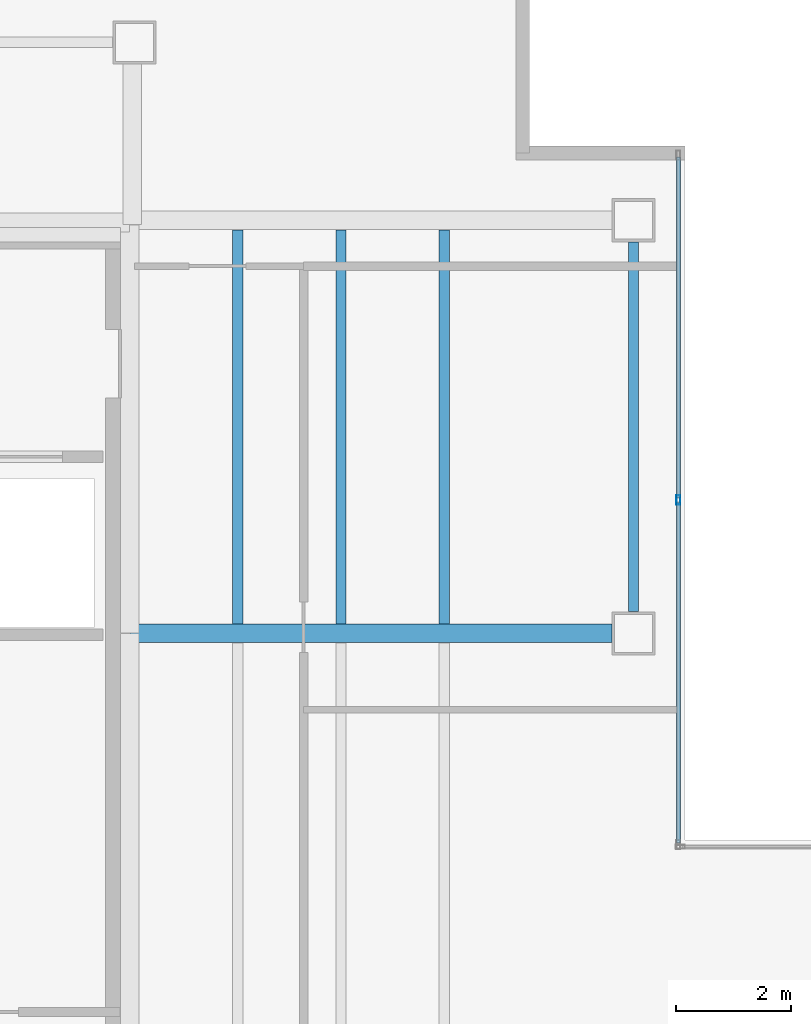
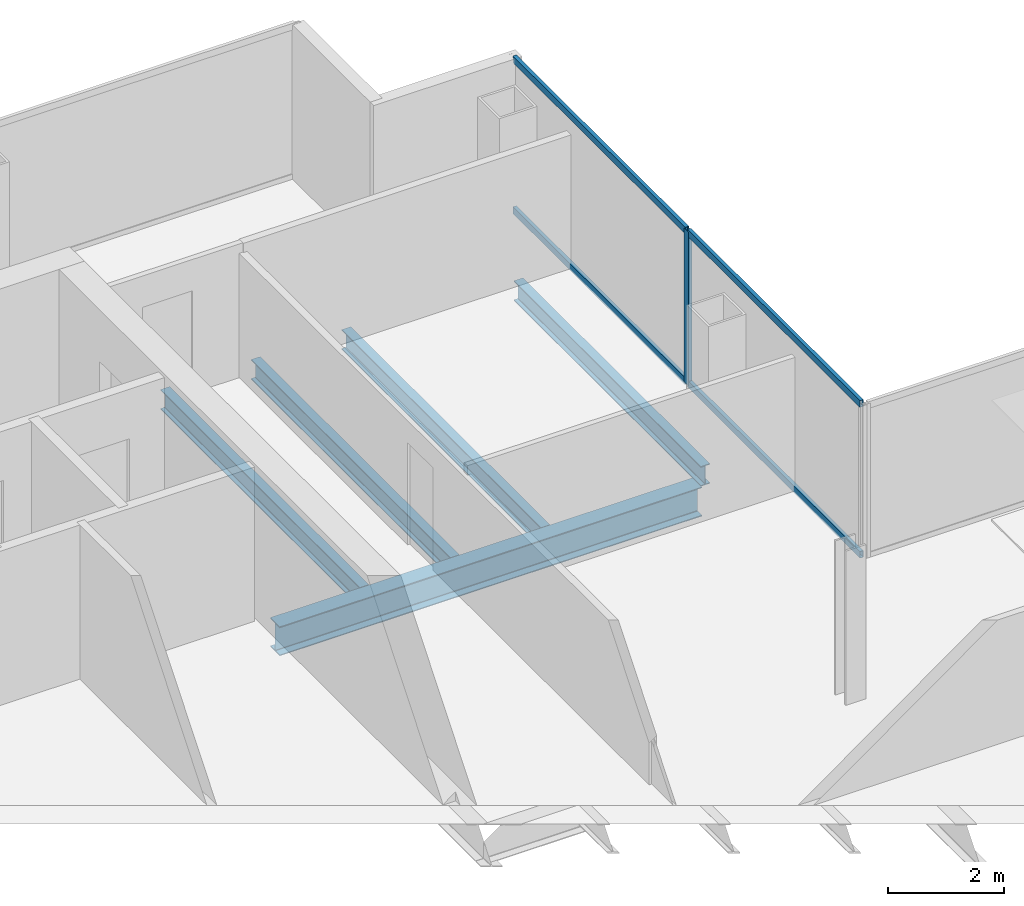
# One storey, part 9 of 23: 5 beams, 5 members, 1 element without a shape of its own.
"""IFC4 building model written with IfcOpenShell, lengths in metres."""

from ifc_helpers import new_model, si_unit, direction, frame, origin, origin_2d, place, context, subcontext, project, spatial, hollow_rectangle, i_section, extrude, material, material_profile, profile_set, type_object, element, aggregate, save


model = new_model("IFC4")

# Units and contexts
model_context = context("Model", 3, precision=1e-05, world=origin(), true_north=direction((0.0, 1.0)))
body_context = subcontext(model_context, "Body", "Model", "MODEL_VIEW")
ifc_project = project(units=[si_unit("LENGTHUNIT", "METRE"), si_unit("AREAUNIT", "SQUARE_METRE"), si_unit("VOLUMEUNIT", "CUBIC_METRE"), si_unit("PLANEANGLEUNIT", "RADIAN"), si_unit("MASSUNIT", "GRAM", prefix="KILO")], contexts=[model_context])

# Site, building, storey
site_placement = place(None, origin())
site = spatial("IfcSite", under=ifc_project, at=site_placement, CompositionType="ELEMENT")
building_placement = place(site_placement, origin())
building = spatial("IfcBuilding", under=site, at=building_placement, Name="Cobrela Telecom Tower", CompositionType="ELEMENT")
storey_placement = place(building_placement, frame((0.0, 0.0, 225.75)))
storey = spatial("IfcBuildingStorey", under=building, at=storey_placement, Name="L58", CompositionType="ELEMENT", Elevation=225.75)

# Beams
ifc_material_1 = material(Name="Steel ASTM A992 Grade 50", Category="steel")
ifc_material_profile_1 = material_profile(ifc_material_1, i_section(OverallWidth=0.324951171875, OverallDepth=0.612060546875, WebThickness=0.0126953125, FlangeThickness=0.01904296875, FilletRadius=0.014892578125, at=origin_2d()), Name="W24X104")
ifc_profile_set_1 = profile_set([ifc_material_profile_1], Name="Steel ASTM A992 Grade 50")
beam_type_1 = type_object("IfcBeamType", Name="BM-GIRD-07", PredefinedType="USERDEFINED", material=ifc_profile_set_1)
beam_1_placement = place(storey_placement, frame((14.324951171875, 28.800048828125, -0.56591796875), z_axis=(1.0, 0.0, 0.0), x_axis=(0.0, 1.0, 0.0)))
element("IfcBeam", 1, at=beam_1_placement, inside=storey, type_object=beam_type_1, Name="L58 Primary Girder X19", ObjectType="GIRDER", PredefinedType="USERDEFINED", context=body_context, shape_type="SweptSolid", body=[
    extrude(i_section(OverallWidth=0.324951171875, OverallDepth=0.612060546875, WebThickness=0.0126953125, FlangeThickness=0.01904296875, FilletRadius=0.014892578125, at=origin_2d()), origin(), (0.0, 0.0, 1.0), 8.39501953125),
])
ifc_material_profile_2 = material_profile(ifc_material_1, i_section(OverallWidth=0.179931640625, OverallDepth=0.4169921875, WebThickness=0.010986328125, FlangeThickness=0.01806640625, FilletRadius=0.011962890625, at=origin_2d()), Name="W16X57")
ifc_profile_set_2 = profile_set([ifc_material_profile_2], Name="Steel ASTM A992 Grade 50")
beam_type_2 = type_object("IfcBeamType", Name="BM-JOIST-04", PredefinedType="JOIST", material=ifc_profile_set_2)
for number, where, z_axis, x_axis, name in (
    (2, (16.199951171875, 28.967529296875, -0.468505859375), (0.0, 1.0, 0.0), (-1.0, 0.0, 0.0), "L58 Secondary Composite Floor Beam J04"),
    (3, (18.0, 28.967529296875, -0.468505859375), (0.0, 1.0, 0.0), (-1.0, 0.0, 0.0), "L58 Secondary Composite Floor Beam J08"),
    (4, (19.800048828125, 28.967529296875, -0.468505859375), (0.0, 1.0, 0.0), (-1.0, 0.0, 0.0), "L58 Secondary Composite Floor Beam J12"),
):
    element("IfcBeam", number, at=place(storey_placement, frame(where, z_axis=z_axis, x_axis=x_axis)), inside=storey, type_object=beam_type_2, Name=name, PredefinedType="JOIST", context=body_context, shape_type="SweptSolid", body=[
        extrude(i_section(OverallWidth=0.179931640625, OverallDepth=0.4169921875, WebThickness=0.010986328125, FlangeThickness=0.01806640625, FilletRadius=0.011962890625, at=origin_2d()), origin(), (0.0, 0.0, 1.0), 6.864990234375),
    ])
ifc_material_profile_3 = material_profile(ifc_material_1, i_section(OverallWidth=0.179931640625, OverallDepth=0.4169921875, WebThickness=0.010986328125, FlangeThickness=0.01806640625, FilletRadius=0.011962890625, at=origin_2d()), Name="W16X57")
ifc_profile_set_3 = profile_set([ifc_material_profile_3], Name="Steel ASTM A992 Grade 50")
beam_type_3 = type_object("IfcBeamType", Name="BM-SPAND-06", PredefinedType="SPANDREL", material=ifc_profile_set_3)
beam_2_placement = place(storey_placement, frame((23.10009765625, 29.179931640625, -0.468505859375), z_axis=(0.0, 1.0, 0.0), x_axis=(-1.0, 0.0, 0.0)))
element("IfcBeam", 5, at=beam_2_placement, inside=storey, type_object=beam_type_3, Name="L58 Perimeter Spandrel Y35", PredefinedType="SPANDREL", context=body_context, shape_type="SweptSolid", body=[
    extrude(i_section(OverallWidth=0.179931640625, OverallDepth=0.4169921875, WebThickness=0.010986328125, FlangeThickness=0.01806640625, FilletRadius=0.011962890625, at=origin_2d()), origin(), (0.0, 0.0, 1.0), 6.440185546875),
])

# Curtain wall, members
ifc_material_2 = material(Name="Anodized Bronze Aluminium 6063-T6", Category="aluminium")
curtain_wall_type = type_object("IfcCurtainWallType", Name="CW-SYS-OFF-LO", PredefinedType="USERDEFINED", material=ifc_material_2)
curtain_wall_placement = place(storey_placement, origin())
curtain_wall = element("IfcCurtainWall", 6, at=curtain_wall_placement, inside=storey, type_object=curtain_wall_type, Name="L58 Unitised Bronze Curtain Wall 10", ObjectType="UNITISED CURTAIN WALL", PredefinedType="USERDEFINED")
ifc_material_profile_4 = material_profile(ifc_material_2, hollow_rectangle(XDim=0.070068359375, YDim=0.159912109375, WallThickness=0.00390625, at=origin_2d()), Name="ALU 70x160x4")
ifc_profile_set_4 = profile_set([ifc_material_profile_4], Name="Anodized Bronze Aluminium 6063-T6")
member_type_1 = type_object("IfcMemberType", Name="CW-SYS-OFF-LO-MUL", PredefinedType="MULLION", material=ifc_profile_set_4)
member_1_placement = place(storey_placement, frame((23.8798828125, 31.125, 0.0), z_axis=(0.0, 0.0, 1.0), x_axis=(1.0, 0.0, 0.0)))
member_1 = element("IfcMember", 7, at=member_1_placement, type_object=member_type_1, Name="CW-OFF-LO mullion 2", PredefinedType="MULLION", context=body_context, shape_type="SweptSolid", body=[
    extrude(hollow_rectangle(XDim=0.070068359375, YDim=0.159912109375, WallThickness=0.00390625, at=origin_2d()), origin(), (0.0, 0.0, 1.0), 3.239990234375),
])
ifc_material_profile_5 = material_profile(ifc_material_2, hollow_rectangle(XDim=0.070068359375, YDim=0.139892578125, WallThickness=0.00390625, at=origin_2d()), Name="ALU 70x140x4")
ifc_profile_set_5 = profile_set([ifc_material_profile_5], Name="Anodized Bronze Aluminium 6063-T6")
member_type_2 = type_object("IfcMemberType", Name="CW-SYS-OFF-LO-TRN", PredefinedType="USERDEFINED", material=ifc_profile_set_5)
member_2_placement = place(storey_placement, frame((23.8798828125, 37.10009765625, 0.034912109375), z_axis=(0.0, -1.0, 0.0), x_axis=(1.0, 0.0, 0.0)))
member_2 = element("IfcMember", 8, at=member_2_placement, type_object=member_type_2, Name="CW-OFF-LO transom 1.1", ObjectType="TRANSOM", PredefinedType="USERDEFINED", context=body_context, shape_type="SweptSolid", body=[
    extrude(hollow_rectangle(XDim=0.070068359375, YDim=0.139892578125, WallThickness=0.00390625, at=origin_2d()), origin(), (0.0, 0.0, 1.0), 5.940185546875),
])
member_3_placement = place(storey_placement, frame((23.8798828125, 37.10009765625, 3.205078125), z_axis=(0.0, -1.0, 0.0), x_axis=(1.0, 0.0, 0.0)))
member_3 = element("IfcMember", 9, at=member_3_placement, type_object=member_type_2, Name="CW-OFF-LO transom 1.2", ObjectType="TRANSOM", PredefinedType="USERDEFINED", context=body_context, shape_type="SweptSolid", body=[
    extrude(hollow_rectangle(XDim=0.070068359375, YDim=0.139892578125, WallThickness=0.00390625, at=origin_2d()), origin(), (0.0, 0.0, 1.0), 5.940185546875),
])
member_4_placement = place(storey_placement, frame((23.8798828125, 31.090087890625, 0.034912109375), z_axis=(0.0, -1.0, 0.0), x_axis=(1.0, 0.0, 0.0)))
member_4 = element("IfcMember", 10, at=member_4_placement, type_object=member_type_2, Name="CW-OFF-LO transom 2.1", ObjectType="TRANSOM", PredefinedType="USERDEFINED", context=body_context, shape_type="SweptSolid", body=[
    extrude(hollow_rectangle(XDim=0.070068359375, YDim=0.139892578125, WallThickness=0.00390625, at=origin_2d()), origin(), (0.0, 0.0, 1.0), 5.940185546875),
])
member_5_placement = place(storey_placement, frame((23.8798828125, 31.090087890625, 3.205078125), z_axis=(0.0, -1.0, 0.0), x_axis=(1.0, 0.0, 0.0)))
member_5 = element("IfcMember", 11, at=member_5_placement, type_object=member_type_2, Name="CW-OFF-LO transom 2.2", ObjectType="TRANSOM", PredefinedType="USERDEFINED", context=body_context, shape_type="SweptSolid", body=[
    extrude(hollow_rectangle(XDim=0.070068359375, YDim=0.139892578125, WallThickness=0.00390625, at=origin_2d()), origin(), (0.0, 0.0, 1.0), 5.940185546875),
])
aggregate(curtain_wall, [member_1, member_2, member_3, member_4, member_5])

save(model, "model.ifc")
